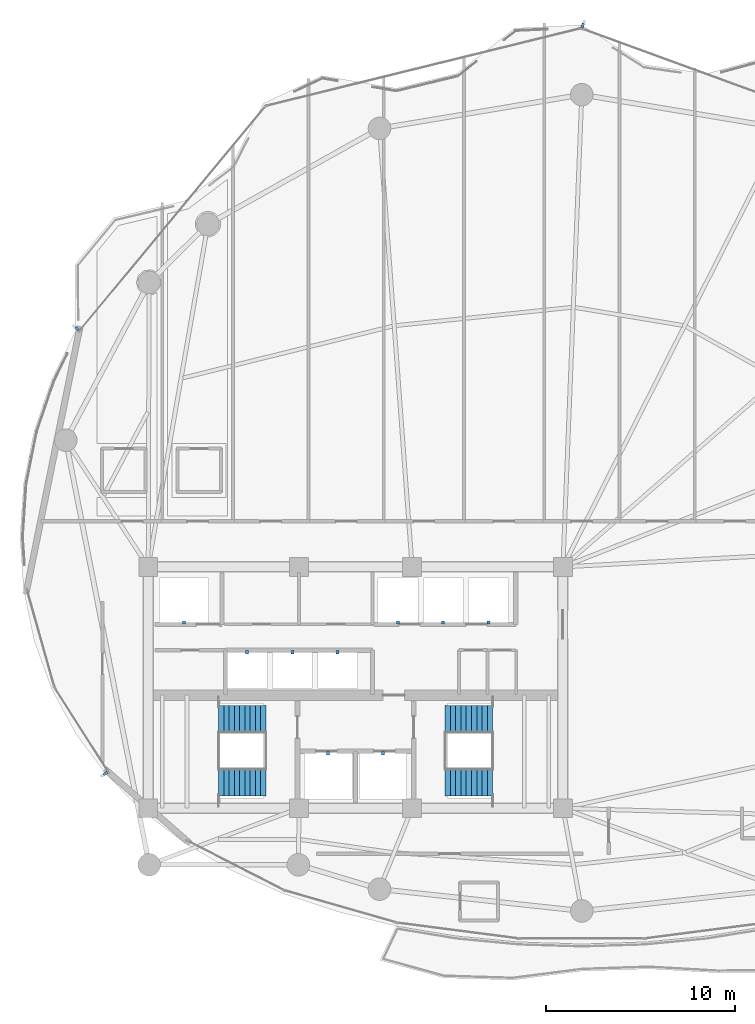
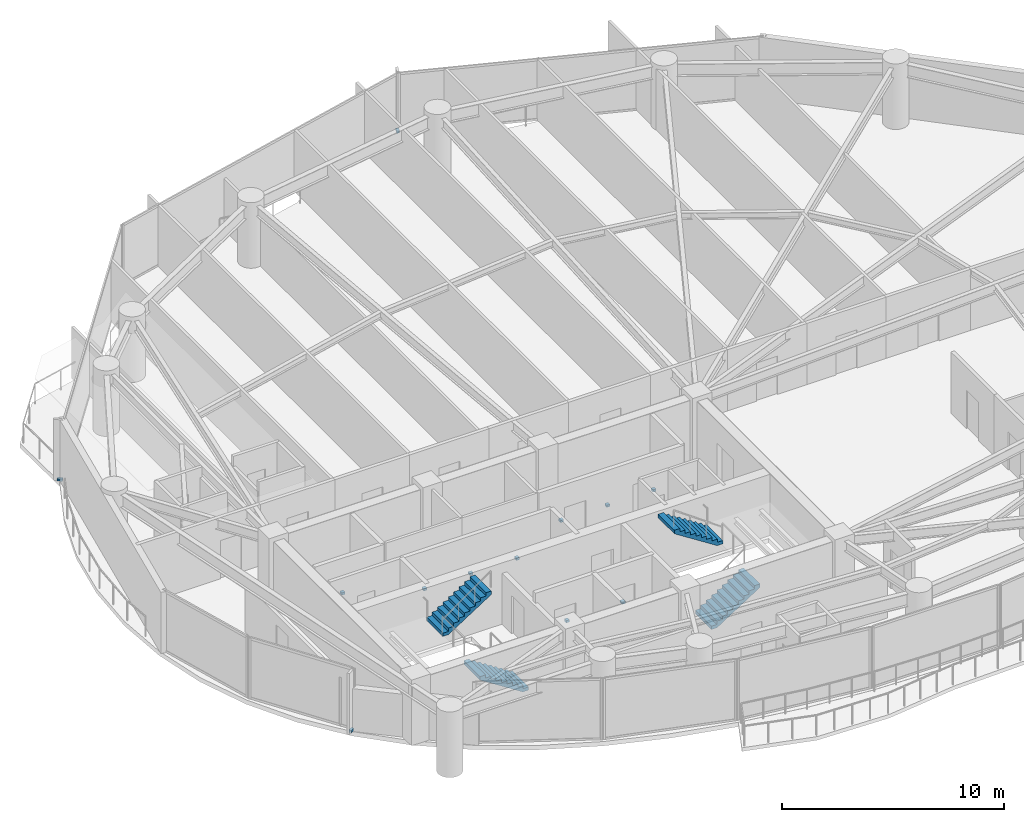
# One storey, part 25 of 28: 12 discrete accessories, 4 stair flights, 2 elements without a shape of their own.
"""IFC4 building model written with IfcOpenShell, lengths in metres."""

import ifcopenshell
import ifcopenshell.guid

model = None  # the IFC model being written
_history = None  # IfcOwnerHistory: only IFC2X3 demands one
_inside = {}  # id of a spatial element -> (the spatial element, [elements in it])
_under = {}  # id of a project, library or spatial element -> (it, [spatial elements below it])
_declared = {}  # id of a project -> (the project, [libraries it declares])
_typed = {}  # id of a type object -> (the type object, [elements of that type])
_made_of = {}  # id of a material, layer set ... -> (it, [elements and type objects made of it])


def new_model(schema):
    """Start an empty IFC model of exactly this schema.

    Asked for "IFC4X3", IfcOpenShell would pick the latest addendum, in which some entities
    have other attributes; the version numbers below select the first issue.
    IFC2X3 requires an IfcOwnerHistory on every rooted entity: one is made here for all.
    """
    global model, _history
    if schema == "IFC4X3":
        model = ifcopenshell.file(schema_version=(4, 3, 0, 0))
    else:
        model = ifcopenshell.file(schema=schema)
    _inside.clear()
    _under.clear()
    _declared.clear()
    _typed.clear()
    _made_of.clear()
    _history = None
    if model.schema == "IFC2X3":
        org = make("IfcOrganization", Name="unknown")
        user = make(
            "IfcPersonAndOrganization",
            ThePerson=make("IfcPerson", FamilyName="unknown"),
            TheOrganization=org,
        )
        app = make(
            "IfcApplication",
            ApplicationDeveloper=org,
            Version="unknown",
            ApplicationFullName="unknown",
            ApplicationIdentifier="unknown",
        )
        _history = make(
            "IfcOwnerHistory",
            OwningUser=user,
            OwningApplication=app,
            ChangeAction="ADDED",
            CreationDate=0,
        )
    return model


def make(cls, **values):
    """One entity of the class cls with the attributes given. An attribute that is None is left unset."""
    return model.create_entity(
        cls, **{name: value for name, value in values.items() if value is not None}
    )


def rooted(cls, **values):
    """An entity with a GlobalId (a new one), such as an element, a storey or a relation."""
    return make(cls, GlobalId=ifcopenshell.guid.new(), OwnerHistory=_history, **values)


def si_unit(unit_type, name, prefix=None):
    """IfcSIUnit, for example si_unit("LENGTHUNIT", "METRE", prefix="MILLI")."""
    return make("IfcSIUnit", UnitType=unit_type, Prefix=prefix, Name=name)


def assignment(units):
    """IfcUnitAssignment: the units of a project."""
    return None if units is None else make("IfcUnitAssignment", Units=units)


def point(xyz):
    """IfcCartesianPoint."""
    return None if xyz is None else make("IfcCartesianPoint", Coordinates=xyz)


def direction(xyz):
    """IfcDirection."""
    return None if xyz is None else make("IfcDirection", DirectionRatios=xyz)


def frame(location, z_axis=None, x_axis=None):
    """IfcAxis2Placement3D, a coordinate frame: its origin and axes. An axis left out is left unset."""
    return make(
        "IfcAxis2Placement3D",
        Location=point(location),
        Axis=direction(z_axis),
        RefDirection=direction(x_axis),
    )


def frame_2d(location, x_axis=None):
    """IfcAxis2Placement2D, a coordinate frame in the plane: its origin and x axis."""
    return make(
        "IfcAxis2Placement2D", Location=point(location), RefDirection=direction(x_axis)
    )


def origin():
    """The frame at (0, 0, 0) with its axes left unset."""
    return frame((0.0, 0.0, 0.0))


def origin_2d():
    """The frame at (0, 0) in the plane with its x axis left unset."""
    return frame_2d((0.0, 0.0))


def place(relative_to, where):
    """IfcLocalPlacement: puts the frame where relative to a parent placement (None: the world)."""
    return make(
        "IfcLocalPlacement", PlacementRelTo=relative_to, RelativePlacement=where
    )


def context(
    kind, dimensions, precision=None, world=None, true_north=None, identifier=None
):
    """IfcGeometricRepresentationContext, for example the 3D "Model" context."""
    return make(
        "IfcGeometricRepresentationContext",
        ContextIdentifier=identifier,
        ContextType=kind,
        CoordinateSpaceDimension=dimensions,
        Precision=precision,
        WorldCoordinateSystem=world,
        TrueNorth=true_north,
    )


def subcontext(parent, identifier, kind, view, scale=None):
    """IfcGeometricRepresentationSubContext, for example "Body" below "Model"."""
    return make(
        "IfcGeometricRepresentationSubContext",
        ContextIdentifier=identifier,
        ContextType=kind,
        ParentContext=parent,
        TargetScale=scale,
        TargetView=view,
    )


def project(units=None, contexts=None):
    """IfcProject with its units and contexts."""
    return rooted(
        "IfcProject",
        Name="project",
        RepresentationContexts=contexts,
        UnitsInContext=assignment(units),
    )


def spatial(cls, under=None, at=None, **own):
    """A site, building, storey or space (cls), placed at a placement, below another one or the project."""
    s = rooted(cls, ObjectPlacement=at, **own)
    if under is not None:
        _under.setdefault(under.id(), (under, []))[1].append(s)
    return s


def polyline(points):
    """IfcPolyline through the points."""
    return make("IfcPolyline", Points=[point(p) for p in points])


def profile(cls, at=None, kind="AREA", **sizes):
    """A parametric profile (cls). Its sizes go by their IFC names, for example OverallWidth=200.0."""
    return make(cls, ProfileType=kind, Position=at, **sizes)


def rectangle(**sizes):
    """IfcRectangleProfileDef."""
    return profile("IfcRectangleProfileDef", **sizes)


def outline(outer, holes=None, kind="AREA"):
    """IfcArbitraryClosedProfileDef: a profile drawn as a closed curve; with holes, ...WithVoids."""
    if holes is None:
        return make("IfcArbitraryClosedProfileDef", ProfileType=kind, OuterCurve=outer)
    return make(
        "IfcArbitraryProfileDefWithVoids",
        ProfileType=kind,
        OuterCurve=outer,
        InnerCurves=holes,
    )


def extrude(swept, where, along, depth):
    """IfcExtrudedAreaSolid: the profile swept, set in the frame where, extruded along a direction by depth."""
    return make(
        "IfcExtrudedAreaSolid",
        SweptArea=swept,
        Position=where,
        ExtrudedDirection=direction(along),
        Depth=depth,
    )


def shape(context_of_items, identifier, shape_type, items):
    """IfcShapeRepresentation: the items that make up one representation, for example the "Body"."""
    return make(
        "IfcShapeRepresentation",
        ContextOfItems=context_of_items,
        RepresentationIdentifier=identifier,
        RepresentationType=shape_type,
        Items=items,
    )


def material(Name=None, Category=None):
    """IfcMaterial."""
    return make("IfcMaterial", Name=Name, Category=Category)


def layer(
    of_material, thickness, ventilated=None, Name=None, Category=None, Priority=None
):
    """IfcMaterialLayer: one layer of a wall or slab, of a material (None: an air gap)."""
    return make(
        "IfcMaterialLayer",
        Material=of_material,
        LayerThickness=thickness,
        IsVentilated=ventilated,
        Name=Name,
        Category=Category,
        Priority=Priority,
    )


def layer_set(layers, Name=None):
    """IfcMaterialLayerSet."""
    return make("IfcMaterialLayerSet", MaterialLayers=layers, LayerSetName=Name)


def made_of(thing, what):
    """Note that an element or type object is made of a material, layer set ...; save() writes the relation."""
    if what is not None:
        _made_of.setdefault(what.id(), (what, []))[1].append(thing)
    return thing


def type_object(cls, material=None, **own):
    """A type object (cls), such as IfcWallType, which elements share."""
    return made_of(rooted(cls, **own), material)


def element(
    cls,
    number,
    at=None,
    inside=None,
    cuts=None,
    type_object=None,
    material=None,
    context=None,
    identifier="Body",
    shape_type=None,
    held_by="IfcProductDefinitionShape",
    body=None,
    shapes=None,
    **own,
):
    """One element of the class cls, such as IfcWall. Its Tag is "e" and its number.

    at: its placement. inside: the storey or other place that contains it. cuts: it is an
    opening in that element (IfcRelVoidsElement). A single representation is given by context,
    identifier, shape_type and body (its items); several are given by shapes. held_by: the class
    of the entity that holds the representations. save() writes the other relations.
    """
    e = rooted(cls, Tag="e%d" % number, ObjectPlacement=at, **own)
    if body is not None:
        shapes = [shape(context, identifier, shape_type, body)]
    if shapes is not None:
        e.Representation = make(held_by, Representations=shapes)
    if inside is not None:
        _inside.setdefault(inside.id(), (inside, []))[1].append(e)
    if cuts is not None:
        rooted(
            "IfcRelVoidsElement", RelatingBuildingElement=cuts, RelatedOpeningElement=e
        )
    if type_object is not None:
        _typed.setdefault(type_object.id(), (type_object, []))[1].append(e)
    return made_of(e, material)


def aggregate(whole, parts):
    """IfcRelAggregates: a whole, such as a stair, and the parts it consists of."""
    return rooted("IfcRelAggregates", RelatingObject=whole, RelatedObjects=parts)


def save(model, path):
    """Write the relations noted so far, then the file.

    IfcRelAggregates (storeys below a building ...), IfcRelContainedInSpatialStructure (elements
    in a storey), IfcRelDefinesByType, IfcRelAssociatesMaterial and IfcRelDeclares: one each for
    every whole, place, type object, material and project.
    """
    for whole, parts in _under.values():
        aggregate(whole, parts)
    for where, things in _inside.values():
        rooted(
            "IfcRelContainedInSpatialStructure",
            RelatedElements=things,
            RelatingStructure=where,
        )
    for kind, things in _typed.values():
        rooted("IfcRelDefinesByType", RelatedObjects=things, RelatingType=kind)
    for what, things in _made_of.values():
        rooted("IfcRelAssociatesMaterial", RelatedObjects=things, RelatingMaterial=what)
    for by, libraries in _declared.values():
        rooted("IfcRelDeclares", RelatingContext=by, RelatedDefinitions=libraries)
    model.write(path)


model = new_model("IFC4")

# Units and contexts
model_context = context("Model", 3, precision=1e-05, world=origin(), true_north=direction((0.0, 1.0)))
body_context = subcontext(model_context, "Body", "Model", "MODEL_VIEW")
ifc_project = project(units=[si_unit("LENGTHUNIT", "METRE"), si_unit("AREAUNIT", "SQUARE_METRE"), si_unit("VOLUMEUNIT", "CUBIC_METRE"), si_unit("PLANEANGLEUNIT", "RADIAN"), si_unit("MASSUNIT", "GRAM", prefix="KILO")], contexts=[model_context])

# Site, building, storey
site_placement = place(None, origin())
site = spatial("IfcSite", under=ifc_project, at=site_placement, CompositionType="ELEMENT")
building_placement = place(site_placement, origin())
building = spatial("IfcBuilding", under=site, at=building_placement, Name="Kazevale Care Tower and Concert Hall", CompositionType="ELEMENT")
storey_placement = place(building_placement, frame((0.0, 0.0, 138.60009765625)))
storey = spatial("IfcBuildingStorey", under=building, at=storey_placement, Name="L36", CompositionType="ELEMENT", Elevation=138.60009765625)

# Stair, stair flights
ifc_material_1 = material(Name="Concrete C40", Category="concrete")
stair_type = type_object("IfcStairType", Name="Exit Stair Assembly ST1-Z2", PredefinedType="HALF_TURN_STAIR", material=ifc_material_1)
stair_1_placement = place(storey_placement, origin())
stair_1 = element("IfcStair", 1, at=stair_1_placement, inside=storey, type_object=stair_type, Name="stair:L36:ST1", PredefinedType="HALF_TURN_STAIR")
ifc_layer = layer(ifc_material_1, 0.159912109375)
ifc_layer_set = layer_set([ifc_layer], Name="Concrete C40")
stair_flight_type = type_object("IfcStairFlightType", Name="Exit Stair Flight ST1-Z2", PredefinedType="STRAIGHT", material=ifc_layer_set)
stair_flight_1_placement = place(storey_placement, frame((28.25, 24.97998046875, 0.0), z_axis=(0.0, 0.0, 1.0), x_axis=(-1.0, 0.0, 0.0)))
stair_flight_1 = element("IfcStairFlight", 2, at=stair_flight_1_placement, type_object=stair_flight_type, Name="ST1-Z2 flight 1", NumberOfRisers=10, NumberOfTreads=9, PredefinedType="STRAIGHT", RiserHeight=0.18, TreadLength=0.28, context=body_context, shape_type="SweptSolid", body=[
    extrude(outline(polyline([(0.0, 0.0), (0.0, 0.179931640625), (0.280029296875, 0.179931640625), (0.280029296875, 0.360107421875), (0.56005859375, 0.360107421875), (0.56005859375, 0.5400390625), (0.840087890625, 0.5400390625), (0.840087890625, 0.719970703125), (1.1201171875, 0.719970703125), (1.1201171875, 0.89990234375), (1.39990234375, 0.89990234375), (1.39990234375, 1.080078125), (1.679931640625, 1.080078125), (1.679931640625, 1.260009765625), (1.9599609375, 1.260009765625), (1.9599609375, 1.43994140625), (2.239990234375, 1.43994140625), (2.239990234375, 1.6201171875), (2.52001953125, 1.6201171875), (2.52001953125, 1.800048828125), (2.52001953125, 1.429931640625), (0.295654296875, 0.0), (0.0, 0.0)])), frame((0.0, 0.72998046875, 0.0), z_axis=(0.0, -1.0, 0.0), x_axis=(1.0, 0.0, 0.0)), (0.0, 0.0, 1.0), 1.4599609375),
])
stair_flight_2_placement = place(storey_placement, frame((25.72998046875, 28.320068359375, 1.7998046875), z_axis=(0.0, 0.0, 1.0), x_axis=(1.0, 0.0, 0.0)))
stair_flight_2 = element("IfcStairFlight", 3, at=stair_flight_2_placement, type_object=stair_flight_type, Name="ST1-Z2 flight 2", NumberOfRisers=10, NumberOfTreads=9, PredefinedType="STRAIGHT", RiserHeight=0.18, TreadLength=0.28, context=body_context, shape_type="SweptSolid", body=[
    extrude(outline(polyline([(0.0, 0.0), (0.0, 0.179931640625), (0.280029296875, 0.179931640625), (0.280029296875, 0.360107421875), (0.56005859375, 0.360107421875), (0.56005859375, 0.5400390625), (0.840087890625, 0.5400390625), (0.840087890625, 0.719970703125), (1.1201171875, 0.719970703125), (1.1201171875, 0.89990234375), (1.39990234375, 0.89990234375), (1.39990234375, 1.080078125), (1.679931640625, 1.080078125), (1.679931640625, 1.260009765625), (1.9599609375, 1.260009765625), (1.9599609375, 1.43994140625), (2.239990234375, 1.43994140625), (2.239990234375, 1.6201171875), (2.52001953125, 1.6201171875), (2.52001953125, 1.800048828125), (2.52001953125, 1.429931640625), (0.295654296875, 0.0), (0.0, 0.0)])), frame((0.0, 0.72998046875, 0.0), z_axis=(0.0, -1.0, 0.0), x_axis=(1.0, 0.0, 0.0)), (0.0, 0.0, 1.0), 1.4599609375),
])
aggregate(stair_1, [stair_flight_1, stair_flight_2])

stair_2_placement = place(storey_placement, origin())
stair_2 = element("IfcStair", 4, at=stair_2_placement, inside=storey, type_object=stair_type, Name="stair:L36:ST2", PredefinedType="HALF_TURN_STAIR")
stair_flight_3_placement = place(storey_placement, frame((37.75, 24.97998046875, 0.0), z_axis=(0.0, 0.0, 1.0), x_axis=(1.0, 0.0, 0.0)))
stair_flight_3 = element("IfcStairFlight", 5, at=stair_flight_3_placement, type_object=stair_flight_type, Name="ST1-Z2 flight 1", NumberOfRisers=10, NumberOfTreads=9, PredefinedType="STRAIGHT", RiserHeight=0.18, TreadLength=0.28, context=body_context, shape_type="SweptSolid", body=[
    extrude(outline(polyline([(0.0, 0.0), (0.0, 0.179931640625), (0.280029296875, 0.179931640625), (0.280029296875, 0.360107421875), (0.56005859375, 0.360107421875), (0.56005859375, 0.5400390625), (0.840087890625, 0.5400390625), (0.840087890625, 0.719970703125), (1.1201171875, 0.719970703125), (1.1201171875, 0.89990234375), (1.39990234375, 0.89990234375), (1.39990234375, 1.080078125), (1.679931640625, 1.080078125), (1.679931640625, 1.260009765625), (1.9599609375, 1.260009765625), (1.9599609375, 1.43994140625), (2.239990234375, 1.43994140625), (2.239990234375, 1.6201171875), (2.52001953125, 1.6201171875), (2.52001953125, 1.800048828125), (2.52001953125, 1.429931640625), (0.295654296875, 0.0), (0.0, 0.0)])), frame((0.0, 0.72998046875, 0.0), z_axis=(0.0, -1.0, 0.0), x_axis=(1.0, 0.0, 0.0)), (0.0, 0.0, 1.0), 1.4599609375),
])
stair_flight_4_placement = place(storey_placement, frame((40.27001953125, 28.320068359375, 1.7998046875), z_axis=(0.0, 0.0, 1.0), x_axis=(-1.0, 0.0, 0.0)))
stair_flight_4 = element("IfcStairFlight", 6, at=stair_flight_4_placement, type_object=stair_flight_type, Name="ST1-Z2 flight 2", NumberOfRisers=10, NumberOfTreads=9, PredefinedType="STRAIGHT", RiserHeight=0.18, TreadLength=0.28, context=body_context, shape_type="SweptSolid", body=[
    extrude(outline(polyline([(0.0, 0.0), (0.0, 0.179931640625), (0.280029296875, 0.179931640625), (0.280029296875, 0.360107421875), (0.56005859375, 0.360107421875), (0.56005859375, 0.5400390625), (0.840087890625, 0.5400390625), (0.840087890625, 0.719970703125), (1.1201171875, 0.719970703125), (1.1201171875, 0.89990234375), (1.39990234375, 0.89990234375), (1.39990234375, 1.080078125), (1.679931640625, 1.080078125), (1.679931640625, 1.260009765625), (1.9599609375, 1.260009765625), (1.9599609375, 1.43994140625), (2.239990234375, 1.43994140625), (2.239990234375, 1.6201171875), (2.52001953125, 1.6201171875), (2.52001953125, 1.800048828125), (2.52001953125, 1.429931640625), (0.295654296875, 0.0), (0.0, 0.0)])), frame((0.0, 0.72998046875, 0.0), z_axis=(0.0, -1.0, 0.0), x_axis=(1.0, 0.0, 0.0)), (0.0, 0.0, 1.0), 1.4599609375),
])
aggregate(stair_2, [stair_flight_3, stair_flight_4])

# Discrete accessories
ifc_material_2 = material(Name="Stainless Steel 316", Category="steel")
discrete_accessory_type_1 = type_object("IfcDiscreteAccessoryType", Name="Facade Fin Stainless Anchor Bracket BRK-1", PredefinedType="BRACKET", material=ifc_material_2)
for number, where, z_axis, x_axis, name in (
    (7, (19.739013671875, 25.4443359375, -0.000244140625), (0.0, 0.0, 1.0), (-0.843391445813, -0.537299608347, 0.0), "cw:L36:f11:brk"),
    (8, (18.2265625, 49.0322265625, -0.000244140625), (0.0, 0.0, 1.0), (-0.770068049148, 0.637961754089, 0.0), "cw:L36:f14:brk"),
    (9, (45.0478515625, 65.113037109375, -0.000244140625), (0.0, 0.0, 1.0), (0.343167938899, 0.939274063153, 0.0), "cw:L36:f16:brk"),
):
    element("IfcDiscreteAccessory", number, at=place(storey_placement, frame(where, z_axis=z_axis, x_axis=x_axis)), inside=storey, type_object=discrete_accessory_type_1, Name=name, PredefinedType="BRACKET", context=body_context, shape_type="SweptSolid", body=[
        extrude(rectangle(XDim=0.239990234375, YDim=0.139892578125, at=origin_2d()), origin(), (0.0, 0.0, 1.0), 0.1201171875),
    ])
discrete_accessory_type_2 = type_object("IfcDiscreteAccessoryType", Name="Hoistway Guide-Rail Wall Bracket HBRK-1", PredefinedType="BRACKET", material=ifc_material_2)
for number, where, z_axis, x_axis, name in (
    (10, (31.550048828125, 26.52001953125, 1.23974609375), (0.0, 0.0, 1.0), (1.0, 0.0, 0.0), "hbrk:FFL-1:L36"),
    (11, (34.449951171875, 26.52001953125, 1.23974609375), (0.0, 0.0, 1.0), (1.0, 0.0, 0.0), "hbrk:FFL-2:L36"),
    (12, (23.89990234375, 33.449951171875, 1.23974609375), (0.0, 0.0, 1.0), (1.0, 0.0, 0.0), "hbrk:SVL-1:L36"),
    (13, (35.25, 33.449951171875, 1.23974609375), (0.0, 0.0, 1.0), (1.0, 0.0, 0.0), "hbrk:PM-1:L36"),
    (14, (37.64990234375, 33.449951171875, 1.23974609375), (0.0, 0.0, 1.0), (1.0, 0.0, 0.0), "hbrk:PM-2:L36"),
    (15, (40.050048828125, 33.449951171875, 1.23974609375), (0.0, 0.0, 1.0), (1.0, 0.0, 0.0), "hbrk:PM-3:L36"),
    (16, (27.25, 31.8798828125, 1.23974609375), (0.0, 0.0, 1.0), (1.0, 0.0, 0.0), "hbrk:PH-1:L36"),
    (17, (29.64990234375, 31.8798828125, 1.23974609375), (0.0, 0.0, 1.0), (1.0, 0.0, 0.0), "hbrk:PH-2:L36"),
    (18, (32.050048828125, 31.8798828125, 1.23974609375), (0.0, 0.0, 1.0), (1.0, 0.0, 0.0), "hbrk:PH-3:L36"),
):
    element("IfcDiscreteAccessory", number, at=place(storey_placement, frame(where, z_axis=z_axis, x_axis=x_axis)), inside=storey, type_object=discrete_accessory_type_2, Name=name, PredefinedType="BRACKET", context=body_context, shape_type="SweptSolid", body=[
        extrude(rectangle(XDim=0.159912109375, YDim=0.179931640625, at=origin_2d()), origin(), (0.0, 0.0, 1.0), 0.1201171875),
    ])

save(model, "model.ifc")
